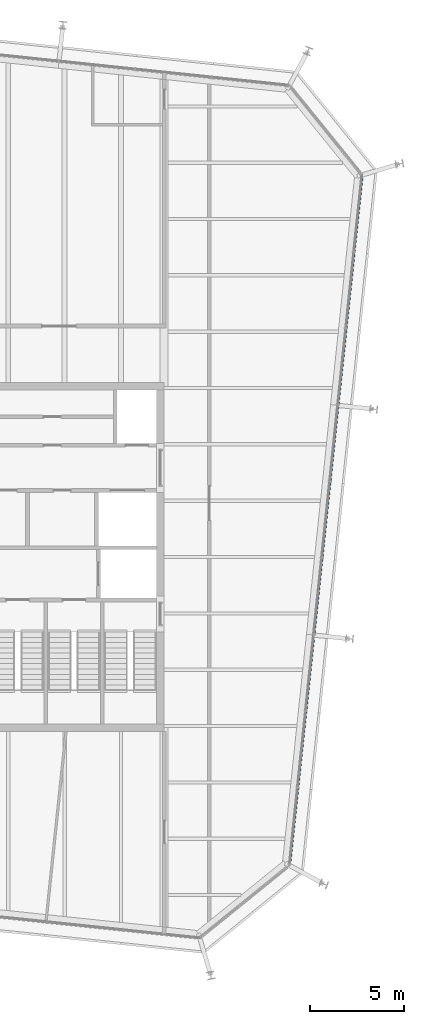
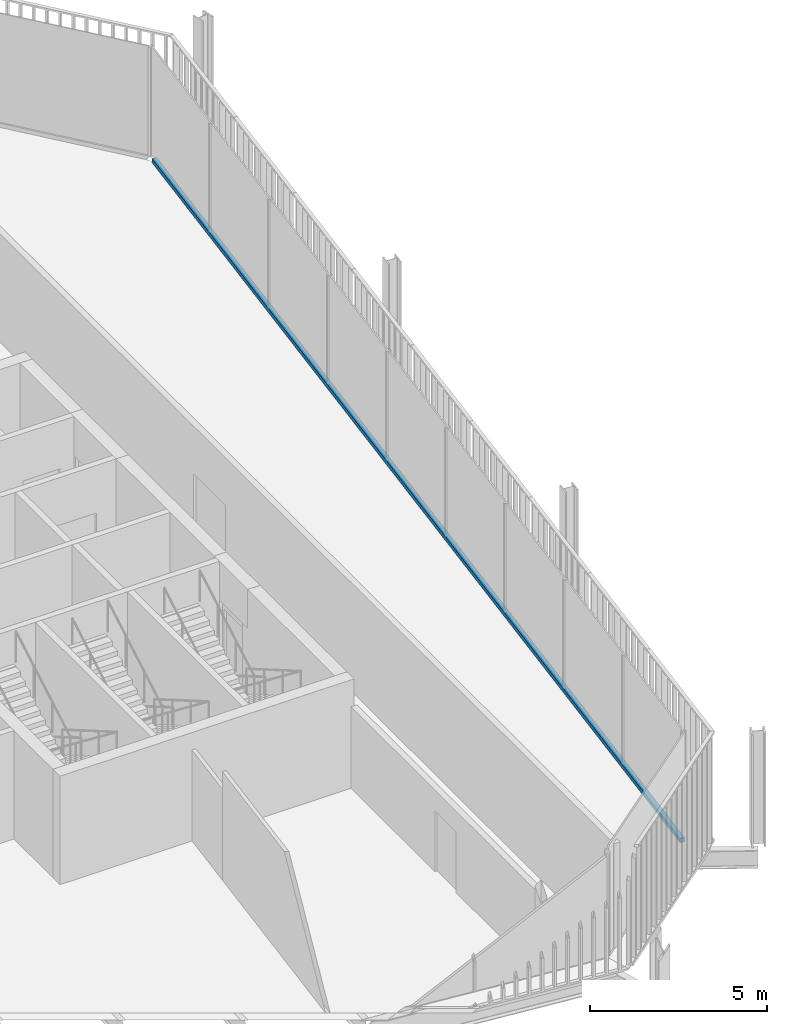
# One storey, part 10 of 20: 1 member, 1 element without a shape of its own.
"""IFC4 building model written with IfcOpenShell, lengths in metres."""

from ifc_helpers import new_model, si_unit, direction, frame, origin, origin_2d, place, context, subcontext, project, spatial, rectangle, extrude, material, layer, layer_set, material_profile, profile_set, type_object, element, aggregate, save


model = new_model("IFC4")

# Units and contexts
model_context = context("Model", 3, precision=1e-05, world=origin(), true_north=direction((0.0, 1.0)))
body_context = subcontext(model_context, "Body", "Model", "MODEL_VIEW")
ifc_project = project(units=[si_unit("LENGTHUNIT", "METRE"), si_unit("AREAUNIT", "SQUARE_METRE"), si_unit("VOLUMEUNIT", "CUBIC_METRE"), si_unit("PLANEANGLEUNIT", "RADIAN"), si_unit("MASSUNIT", "GRAM", prefix="KILO")], contexts=[model_context])

# Site, building, storey
site_placement = place(None, origin())
site = spatial("IfcSite", under=ifc_project, at=site_placement, CompositionType="ELEMENT")
building_placement = place(site_placement, origin())
building = spatial("IfcBuilding", under=site, at=building_placement, Name="Millrace Tower", CompositionType="ELEMENT")
storey_placement = place(building_placement, frame((0.0, 0.0, 303.300048828125)))
storey = spatial("IfcBuildingStorey", under=building, at=storey_placement, Name="L70", CompositionType="ELEMENT", Elevation=303.300048828125)

# Curtain wall, member
ifc_material_1 = material(Name="Aluminium and glass", Category="aluminium")
ifc_layer = layer(ifc_material_1, 0.14990234375)
ifc_layer_set = layer_set([ifc_layer], Name="Aluminium and glass")
curtain_wall_type = type_object("IfcCurtainWallType", Name="CW-1 office vision curtain wall", PredefinedType="NOTDEFINED", material=ifc_layer_set)
curtain_wall_placement = place(storey_placement, origin())
curtain_wall = element("IfcCurtainWall", 1, at=curtain_wall_placement, inside=storey, type_object=curtain_wall_type, Name="Curtain wall E-F04 L70", PredefinedType="NOTDEFINED")
ifc_material_2 = material(Name="Aluminium", Category="aluminium")
ifc_material_profile = material_profile(ifc_material_2, rectangle(XDim=0.14990234375, YDim=0.139892578125, at=origin_2d()))
ifc_profile_set = profile_set([ifc_material_profile], Name="Aluminium")
member_type = type_object("IfcMemberType", Name="CW-1 office vision curtain wall transom", PredefinedType="USERDEFINED", material=ifc_profile_set)
member_placement = place(storey_placement, frame((20.98193359375, -16.285400390625, 0.070068359375), z_axis=(0.104527916025, 0.994521952886, 0.0), x_axis=(-0.994521952886, 0.104527916025, 0.0)))
member = element("IfcMember", 2, at=member_placement, type_object=member_type, Name="CW1 transom E-F04.1", ObjectType="TRANSOM", PredefinedType="USERDEFINED", context=body_context, shape_type="SweptSolid", body=[
    extrude(rectangle(XDim=0.14990234375, YDim=0.139892578125, at=origin_2d()), origin(), (0.0, 0.0, 1.0), 36.699951171875),
])
aggregate(curtain_wall, [member])

save(model, "model.ifc")
